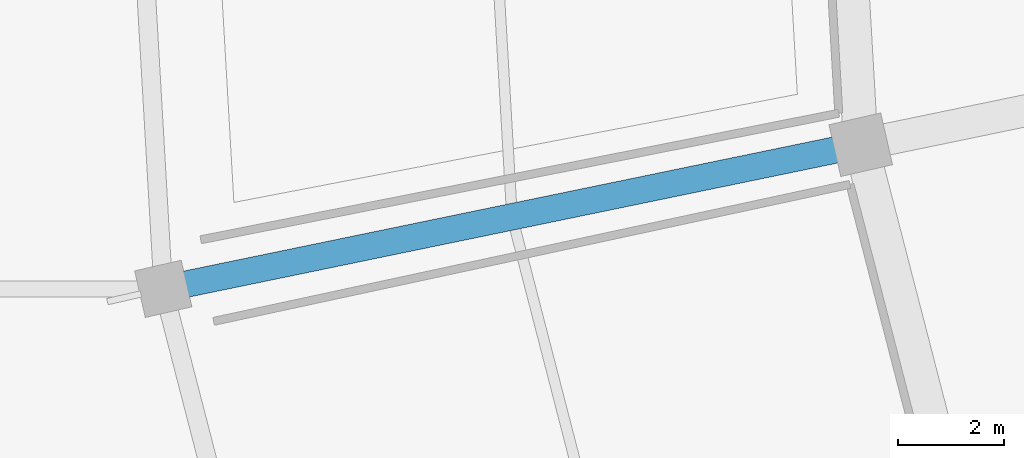
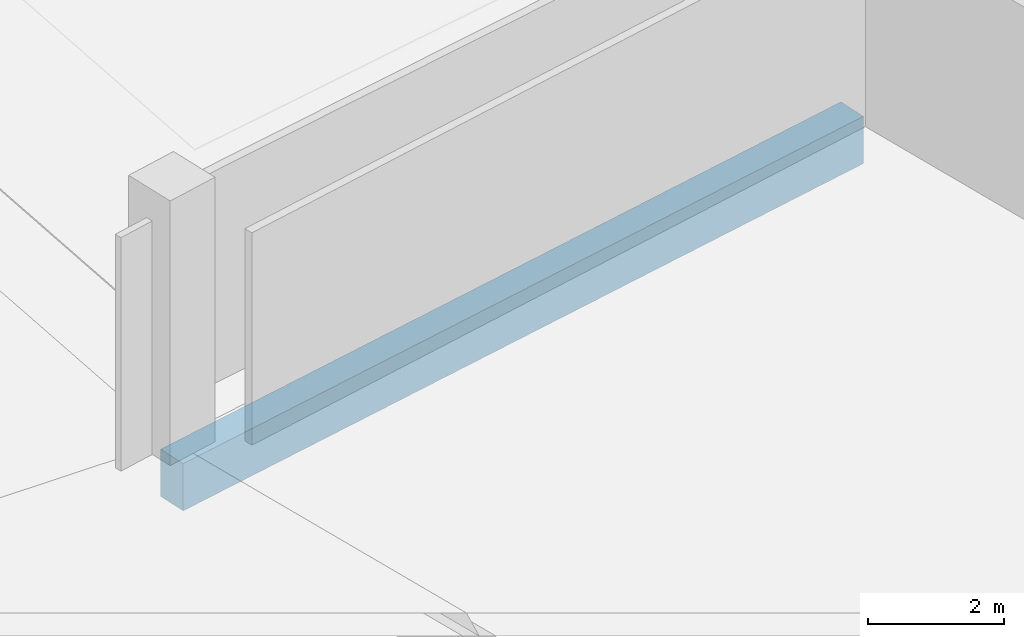
# One storey, part 26 of 156: 1 beam.
"""IFC4 building model written with IfcOpenShell, lengths in metres."""

import ifcopenshell
import ifcopenshell.guid

model = None  # the IFC model being written
_history = None  # IfcOwnerHistory: only IFC2X3 demands one
_inside = {}  # id of a spatial element -> (the spatial element, [elements in it])
_under = {}  # id of a project, library or spatial element -> (it, [spatial elements below it])
_declared = {}  # id of a project -> (the project, [libraries it declares])
_typed = {}  # id of a type object -> (the type object, [elements of that type])
_made_of = {}  # id of a material, layer set ... -> (it, [elements and type objects made of it])


def new_model(schema):
    """Start an empty IFC model of exactly this schema.

    Asked for "IFC4X3", IfcOpenShell would pick the latest addendum, in which some entities
    have other attributes; the version numbers below select the first issue.
    IFC2X3 requires an IfcOwnerHistory on every rooted entity: one is made here for all.
    """
    global model, _history
    if schema == "IFC4X3":
        model = ifcopenshell.file(schema_version=(4, 3, 0, 0))
    else:
        model = ifcopenshell.file(schema=schema)
    _inside.clear()
    _under.clear()
    _declared.clear()
    _typed.clear()
    _made_of.clear()
    _history = None
    if model.schema == "IFC2X3":
        org = make("IfcOrganization", Name="unknown")
        user = make(
            "IfcPersonAndOrganization",
            ThePerson=make("IfcPerson", FamilyName="unknown"),
            TheOrganization=org,
        )
        app = make(
            "IfcApplication",
            ApplicationDeveloper=org,
            Version="unknown",
            ApplicationFullName="unknown",
            ApplicationIdentifier="unknown",
        )
        _history = make(
            "IfcOwnerHistory",
            OwningUser=user,
            OwningApplication=app,
            ChangeAction="ADDED",
            CreationDate=0,
        )
    return model


def make(cls, **values):
    """One entity of the class cls with the attributes given. An attribute that is None is left unset."""
    return model.create_entity(
        cls, **{name: value for name, value in values.items() if value is not None}
    )


def rooted(cls, **values):
    """An entity with a GlobalId (a new one), such as an element, a storey or a relation."""
    return make(cls, GlobalId=ifcopenshell.guid.new(), OwnerHistory=_history, **values)


def si_unit(unit_type, name, prefix=None):
    """IfcSIUnit, for example si_unit("LENGTHUNIT", "METRE", prefix="MILLI")."""
    return make("IfcSIUnit", UnitType=unit_type, Prefix=prefix, Name=name)


def assignment(units):
    """IfcUnitAssignment: the units of a project."""
    return None if units is None else make("IfcUnitAssignment", Units=units)


def point(xyz):
    """IfcCartesianPoint."""
    return None if xyz is None else make("IfcCartesianPoint", Coordinates=xyz)


def direction(xyz):
    """IfcDirection."""
    return None if xyz is None else make("IfcDirection", DirectionRatios=xyz)


def frame(location, z_axis=None, x_axis=None):
    """IfcAxis2Placement3D, a coordinate frame: its origin and axes. An axis left out is left unset."""
    return make(
        "IfcAxis2Placement3D",
        Location=point(location),
        Axis=direction(z_axis),
        RefDirection=direction(x_axis),
    )


def frame_2d(location, x_axis=None):
    """IfcAxis2Placement2D, a coordinate frame in the plane: its origin and x axis."""
    return make(
        "IfcAxis2Placement2D", Location=point(location), RefDirection=direction(x_axis)
    )


def origin():
    """The frame at (0, 0, 0) with its axes left unset."""
    return frame((0.0, 0.0, 0.0))


def origin_2d():
    """The frame at (0, 0) in the plane with its x axis left unset."""
    return frame_2d((0.0, 0.0))


def place(relative_to, where):
    """IfcLocalPlacement: puts the frame where relative to a parent placement (None: the world)."""
    return make(
        "IfcLocalPlacement", PlacementRelTo=relative_to, RelativePlacement=where
    )


def context(
    kind, dimensions, precision=None, world=None, true_north=None, identifier=None
):
    """IfcGeometricRepresentationContext, for example the 3D "Model" context."""
    return make(
        "IfcGeometricRepresentationContext",
        ContextIdentifier=identifier,
        ContextType=kind,
        CoordinateSpaceDimension=dimensions,
        Precision=precision,
        WorldCoordinateSystem=world,
        TrueNorth=true_north,
    )


def subcontext(parent, identifier, kind, view, scale=None):
    """IfcGeometricRepresentationSubContext, for example "Body" below "Model"."""
    return make(
        "IfcGeometricRepresentationSubContext",
        ContextIdentifier=identifier,
        ContextType=kind,
        ParentContext=parent,
        TargetScale=scale,
        TargetView=view,
    )


def project(units=None, contexts=None):
    """IfcProject with its units and contexts."""
    return rooted(
        "IfcProject",
        Name="project",
        RepresentationContexts=contexts,
        UnitsInContext=assignment(units),
    )


def spatial(cls, under=None, at=None, **own):
    """A site, building, storey or space (cls), placed at a placement, below another one or the project."""
    s = rooted(cls, ObjectPlacement=at, **own)
    if under is not None:
        _under.setdefault(under.id(), (under, []))[1].append(s)
    return s


def profile(cls, at=None, kind="AREA", **sizes):
    """A parametric profile (cls). Its sizes go by their IFC names, for example OverallWidth=200.0."""
    return make(cls, ProfileType=kind, Position=at, **sizes)


def rectangle(**sizes):
    """IfcRectangleProfileDef."""
    return profile("IfcRectangleProfileDef", **sizes)


def extrude(swept, where, along, depth):
    """IfcExtrudedAreaSolid: the profile swept, set in the frame where, extruded along a direction by depth."""
    return make(
        "IfcExtrudedAreaSolid",
        SweptArea=swept,
        Position=where,
        ExtrudedDirection=direction(along),
        Depth=depth,
    )


def shape(context_of_items, identifier, shape_type, items):
    """IfcShapeRepresentation: the items that make up one representation, for example the "Body"."""
    return make(
        "IfcShapeRepresentation",
        ContextOfItems=context_of_items,
        RepresentationIdentifier=identifier,
        RepresentationType=shape_type,
        Items=items,
    )


def material(Name=None, Category=None):
    """IfcMaterial."""
    return make("IfcMaterial", Name=Name, Category=Category)


def material_profile(
    of_material, cross_section, Name=None, Category=None, Priority=None
):
    """IfcMaterialProfile: a cross section and its material."""
    return make(
        "IfcMaterialProfile",
        Name=Name,
        Material=of_material,
        Profile=cross_section,
        Priority=Priority,
        Category=Category,
    )


def profile_set(profiles, Name=None, composite=None):
    """IfcMaterialProfileSet."""
    return make(
        "IfcMaterialProfileSet",
        Name=Name,
        MaterialProfiles=profiles,
        CompositeProfile=composite,
    )


def made_of(thing, what):
    """Note that an element or type object is made of a material, layer set ...; save() writes the relation."""
    if what is not None:
        _made_of.setdefault(what.id(), (what, []))[1].append(thing)
    return thing


def type_object(cls, material=None, **own):
    """A type object (cls), such as IfcWallType, which elements share."""
    return made_of(rooted(cls, **own), material)


def element(
    cls,
    number,
    at=None,
    inside=None,
    cuts=None,
    type_object=None,
    material=None,
    context=None,
    identifier="Body",
    shape_type=None,
    held_by="IfcProductDefinitionShape",
    body=None,
    shapes=None,
    **own,
):
    """One element of the class cls, such as IfcWall. Its Tag is "e" and its number.

    at: its placement. inside: the storey or other place that contains it. cuts: it is an
    opening in that element (IfcRelVoidsElement). A single representation is given by context,
    identifier, shape_type and body (its items); several are given by shapes. held_by: the class
    of the entity that holds the representations. save() writes the other relations.
    """
    e = rooted(cls, Tag="e%d" % number, ObjectPlacement=at, **own)
    if body is not None:
        shapes = [shape(context, identifier, shape_type, body)]
    if shapes is not None:
        e.Representation = make(held_by, Representations=shapes)
    if inside is not None:
        _inside.setdefault(inside.id(), (inside, []))[1].append(e)
    if cuts is not None:
        rooted(
            "IfcRelVoidsElement", RelatingBuildingElement=cuts, RelatedOpeningElement=e
        )
    if type_object is not None:
        _typed.setdefault(type_object.id(), (type_object, []))[1].append(e)
    return made_of(e, material)


def aggregate(whole, parts):
    """IfcRelAggregates: a whole, such as a stair, and the parts it consists of."""
    return rooted("IfcRelAggregates", RelatingObject=whole, RelatedObjects=parts)


def save(model, path):
    """Write the relations noted so far, then the file.

    IfcRelAggregates (storeys below a building ...), IfcRelContainedInSpatialStructure (elements
    in a storey), IfcRelDefinesByType, IfcRelAssociatesMaterial and IfcRelDeclares: one each for
    every whole, place, type object, material and project.
    """
    for whole, parts in _under.values():
        aggregate(whole, parts)
    for where, things in _inside.values():
        rooted(
            "IfcRelContainedInSpatialStructure",
            RelatedElements=things,
            RelatingStructure=where,
        )
    for kind, things in _typed.values():
        rooted("IfcRelDefinesByType", RelatedObjects=things, RelatingType=kind)
    for what, things in _made_of.values():
        rooted("IfcRelAssociatesMaterial", RelatedObjects=things, RelatingMaterial=what)
    for by, libraries in _declared.values():
        rooted("IfcRelDeclares", RelatingContext=by, RelatedDefinitions=libraries)
    model.write(path)


model = new_model("IFC4")

# Units and contexts
model_context = context("Model", 3, precision=1e-05, world=origin(), true_north=direction((0.0, 1.0)))
body_context = subcontext(model_context, "Body", "Model", "MODEL_VIEW")
ifc_project = project(units=[si_unit("LENGTHUNIT", "METRE"), si_unit("AREAUNIT", "SQUARE_METRE"), si_unit("VOLUMEUNIT", "CUBIC_METRE"), si_unit("PLANEANGLEUNIT", "RADIAN"), si_unit("MASSUNIT", "GRAM", prefix="KILO")], contexts=[model_context])

# Site, building, storey
site_placement = place(None, origin())
site = spatial("IfcSite", under=ifc_project, at=site_placement, CompositionType="ELEMENT")
building_placement = place(site_placement, origin())
building = spatial("IfcBuilding", under=site, at=building_placement, Name="Kazemori Nagisa Stadium", CompositionType="ELEMENT")
storey_placement = place(building_placement, frame((0.0, 0.0, 5.780029296875)))
storey = spatial("IfcBuildingStorey", under=building, at=storey_placement, Name="L01", CompositionType="ELEMENT", Elevation=5.780029296875)

# Beam
ifc_material = material(Name="Concrete C40/50 (Fc42)", Category="concrete")
ifc_material_profile = material_profile(ifc_material, rectangle(XDim=0.5, YDim=0.85009765625, at=origin_2d()), Name="RC-BM-500x850")
ifc_profile_set = profile_set([ifc_material_profile], Name="Concrete C40/50 (Fc42)")
beam_type = type_object("IfcBeamType", Name="Beam_BG-RC500X850", PredefinedType="BEAM", material=ifc_profile_set)
beam_placement = place(storey_placement, frame((42.262451171875, 85.31787109375, -0.705078125), z_axis=(-0.979315516463, -0.202339119339, 0.0), x_axis=(0.202339119339, -0.979315516463, 0.0)))
element("IfcBeam", 1, at=beam_placement, inside=storey, type_object=beam_type, Name="Radial girder BG-RC500X850 L01 R2-R3-16", PredefinedType="BEAM", context=body_context, shape_type="SweptSolid", body=[
    extrude(rectangle(XDim=0.5, YDim=0.85009765625, at=origin_2d()), origin(), (0.0, 0.0, 1.0), 13.4208984375),
])

save(model, "model.ifc")
